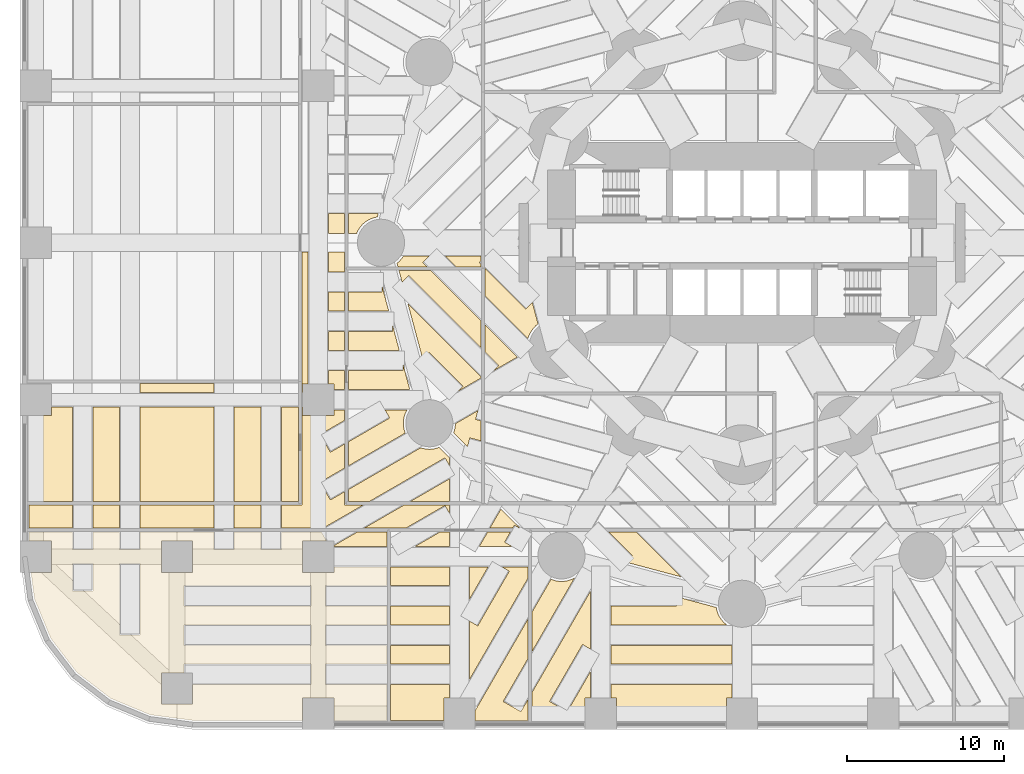
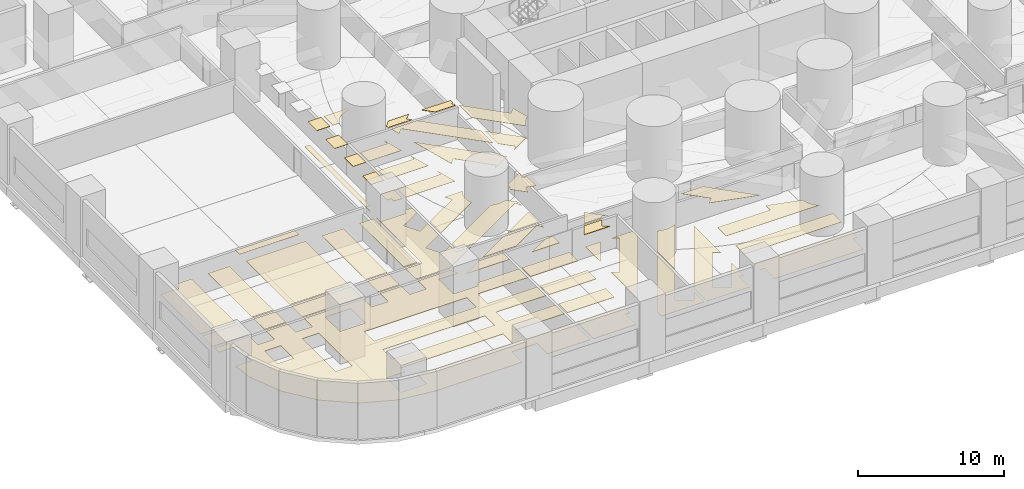
# One storey, part 12 of 17: 50 coverings.
"""IFC4 building model written with IfcOpenShell, lengths in metres."""

from ifc_helpers import new_model, si_unit, direction, frame, origin, place, context, subcontext, project, spatial, polyline, outline, extrude, material, layer, layer_set, type_object, element, save


model = new_model("IFC4")

# Units and contexts
model_context = context("Model", 3, precision=1e-05, world=origin(), true_north=direction((0.0, 1.0)))
body_context = subcontext(model_context, "Body", "Model", "MODEL_VIEW")
ifc_project = project(units=[si_unit("LENGTHUNIT", "METRE"), si_unit("AREAUNIT", "SQUARE_METRE"), si_unit("VOLUMEUNIT", "CUBIC_METRE"), si_unit("PLANEANGLEUNIT", "RADIAN"), si_unit("MASSUNIT", "GRAM", prefix="KILO")], contexts=[model_context])

# Site, building, storey
site_placement = place(None, origin())
site = spatial("IfcSite", under=ifc_project, at=site_placement, CompositionType="ELEMENT")
building_placement = place(site_placement, origin())
building = spatial("IfcBuilding", under=site, at=building_placement, Name="Qaws Media Tower", CompositionType="ELEMENT")
storey_placement = place(building_placement, frame((0.0, 0.0, 15.0)))
storey = spatial("IfcBuildingStorey", under=building, at=storey_placement, Name="L02", CompositionType="ELEMENT", Elevation=15.0)

# Coverings
ifc_material_1 = material(Name="40 perforated acoustic panels with mineral wool backing, suspended", Category="mineral fibre")
ifc_layer_1 = layer(ifc_material_1, 0.0400390625)
ifc_layer_set_1 = layer_set([ifc_layer_1], Name="Acoustic panel ceiling 40")
covering_type_1 = type_object("IfcCoveringType", Name="Acoustic panel ceiling 40", PredefinedType="CEILING", material=ifc_layer_set_1)
covering_1_placement = place(storey_placement, frame((0.0, 0.0, 2.719970703125)))
element("IfcCovering", 1, at=covering_1_placement, inside=storey, type_object=covering_type_1, Name="CL3 ceiling L02-17 Radio studio 1", PredefinedType="CEILING", context=body_context, shape_type="SweptSolid", body=[
    extrude(outline(polyline([(34.0, 21.0), (32.0, 21.0), (32.0, 19.570068359375), (25.017578125, 19.570068359375), (22.301025390625, 19.927490234375), (19.7861328125, 20.969482421875), (17.62646484375, 22.62646484375), (15.969482421875, 24.7861328125), (14.927490234375, 27.301025390625), (14.7041015625, 29.0), (16.0, 29.0), (16.0, 31.0), (14.570068359375, 31.0), (14.570068359375, 31.580078125), (17.35009765625, 31.580078125), (17.35009765625, 30.449951171875), (18.64990234375, 30.449951171875), (18.64990234375, 31.580078125), (20.35009765625, 31.580078125), (20.35009765625, 30.449951171875), (21.64990234375, 30.449951171875), (21.64990234375, 31.580078125), (26.35009765625, 31.580078125), (26.35009765625, 30.449951171875), (27.64990234375, 30.449951171875), (27.64990234375, 31.580078125), (29.35009765625, 31.580078125), (29.35009765625, 30.449951171875), (30.64990234375, 30.449951171875), (30.64990234375, 31.580078125), (33.197265625, 31.580078125), (33.531982421875, 31.0), (32.0, 31.0), (32.0, 29.0), (34.0, 29.0), (34.0, 29.35009765625), (37.3798828125, 29.35009765625), (37.3798828125, 28.14990234375), (33.449951171875, 28.14990234375), (33.449951171875, 26.85009765625), (37.3798828125, 26.85009765625), (37.3798828125, 25.64990234375), (33.449951171875, 25.64990234375), (33.449951171875, 24.35009765625), (37.3798828125, 24.35009765625), (37.3798828125, 23.14990234375), (33.449951171875, 23.14990234375), (33.449951171875, 21.85009765625), (37.3798828125, 21.85009765625), (37.3798828125, 19.570068359375), (34.0, 19.570068359375), (34.0, 21.0)]), holes=[polyline([(25.0, 20.60009765625), (25.0, 21.85009765625), (32.550048828125, 21.85009765625), (32.550048828125, 23.14990234375), (24.449951171875, 23.14990234375), (24.449951171875, 22.60009765625), (23.0, 22.60009765625), (23.0, 20.60009765625), (25.0, 20.60009765625)]), polyline([(25.0, 29.0), (25.0, 31.0), (23.0, 31.0), (23.0, 29.0), (25.0, 29.0)]), polyline([(24.449951171875, 25.64990234375), (24.449951171875, 24.35009765625), (32.550048828125, 24.35009765625), (32.550048828125, 25.64990234375), (24.449951171875, 25.64990234375)]), polyline([(20.35009765625, 25.015380859375), (21.64990234375, 25.015380859375), (21.64990234375, 29.550048828125), (20.35009765625, 29.550048828125), (20.35009765625, 25.015380859375)]), polyline([(17.35009765625, 27.8154296875), (18.64990234375, 27.8154296875), (18.64990234375, 29.550048828125), (17.35009765625, 29.550048828125), (17.35009765625, 27.8154296875)]), polyline([(24.449951171875, 28.14990234375), (24.449951171875, 26.85009765625), (32.550048828125, 26.85009765625), (32.550048828125, 28.14990234375), (24.449951171875, 28.14990234375)])]), origin(), (0.0, 0.0, 1.0), 0.0400390625),
])
covering_2_placement = place(storey_placement, frame((0.0, 0.0, 2.719970703125)))
element("IfcCovering", 2, at=covering_2_placement, inside=storey, type_object=covering_type_1, Name="CL3 ceiling L02-17 Radio studio 1", PredefinedType="CEILING", context=body_context, shape_type="SweptSolid", body=[
    extrude(outline(polyline([(37.3798828125, 31.580078125), (37.3798828125, 30.64990234375), (34.0, 30.64990234375), (34.0, 30.708984375), (35.50830078125, 31.580078125), (37.3798828125, 31.580078125)])), origin(), (0.0, 0.0, 1.0), 0.0400390625),
])
covering_3_placement = place(storey_placement, frame((0.0, 0.0, 2.719970703125)))
element("IfcCovering", 3, at=covering_3_placement, inside=storey, type_object=covering_type_1, Name="CL3 ceiling L02-18 Radio studio 2", PredefinedType="CEILING", context=body_context, shape_type="SweptSolid", body=[
    extrude(outline(polyline([(43.0, 19.570068359375), (43.0, 20.19677734375), (46.3798828125, 26.051025390625), (46.3798828125, 23.533203125), (44.78759765625, 20.77490234375), (45.913330078125, 20.125), (46.3798828125, 20.933349609375), (46.3798828125, 19.570068359375), (43.0, 19.570068359375)])), origin(), (0.0, 0.0, 1.0), 0.0400390625),
])
covering_4_placement = place(storey_placement, frame((0.0, 0.0, 2.719970703125)))
element("IfcCovering", 4, at=covering_4_placement, inside=storey, type_object=covering_type_1, Name="CL3 ceiling L02-18 Radio studio 2", PredefinedType="CEILING", context=body_context, shape_type="SweptSolid", body=[
    extrude(outline(polyline([(46.3798828125, 28.65087890625), (42.64990234375, 22.1904296875), (42.64990234375, 25.892578125), (43.162841796875, 25.596435546875), (45.171142578125, 29.074951171875), (44.69482421875, 29.35009765625), (46.3798828125, 29.35009765625), (46.3798828125, 28.65087890625)])), origin(), (0.0, 0.0, 1.0), 0.0400390625),
])
covering_5_placement = place(storey_placement, frame((0.0, 0.0, 2.719970703125)))
element("IfcCovering", 5, at=covering_5_placement, inside=storey, type_object=covering_type_1, Name="CL3 ceiling L02-18 Radio studio 2", PredefinedType="CEILING", context=body_context, shape_type="SweptSolid", body=[
    extrude(outline(polyline([(41.0, 21.0), (41.0, 19.570068359375), (37.6201171875, 19.570068359375), (37.6201171875, 21.85009765625), (41.35009765625, 21.85009765625), (41.35009765625, 21.0), (41.0, 21.0)])), origin(), (0.0, 0.0, 1.0), 0.0400390625),
])
covering_6_placement = place(storey_placement, frame((0.0, 0.0, 2.719970703125)))
element("IfcCovering", 6, at=covering_6_placement, inside=storey, type_object=covering_type_1, Name="CL3 ceiling L02-18 Radio studio 2", PredefinedType="CEILING", context=body_context, shape_type="SweptSolid", body=[
    extrude(outline(polyline([(37.6201171875, 24.35009765625), (41.35009765625, 24.35009765625), (41.35009765625, 23.14990234375), (37.6201171875, 23.14990234375), (37.6201171875, 24.35009765625)])), origin(), (0.0, 0.0, 1.0), 0.0400390625),
])
covering_7_placement = place(storey_placement, frame((0.0, 0.0, 2.719970703125)))
element("IfcCovering", 7, at=covering_7_placement, inside=storey, type_object=covering_type_1, Name="CL3 ceiling L02-18 Radio studio 2", PredefinedType="CEILING", context=body_context, shape_type="SweptSolid", body=[
    extrude(outline(polyline([(37.6201171875, 26.85009765625), (41.35009765625, 26.85009765625), (41.35009765625, 25.64990234375), (37.6201171875, 25.64990234375), (37.6201171875, 26.85009765625)])), origin(), (0.0, 0.0, 1.0), 0.0400390625),
])
covering_8_placement = place(storey_placement, frame((0.0, 0.0, 2.719970703125)))
element("IfcCovering", 8, at=covering_8_placement, inside=storey, type_object=covering_type_1, Name="CL3 ceiling L02-18 Radio studio 2", PredefinedType="CEILING", context=body_context, shape_type="SweptSolid", body=[
    extrude(outline(polyline([(37.6201171875, 29.35009765625), (41.35009765625, 29.35009765625), (41.35009765625, 28.14990234375), (37.6201171875, 28.14990234375), (37.6201171875, 29.35009765625)])), origin(), (0.0, 0.0, 1.0), 0.0400390625),
])
covering_9_placement = place(storey_placement, frame((0.0, 0.0, 2.719970703125)))
element("IfcCovering", 9, at=covering_9_placement, inside=storey, type_object=covering_type_1, Name="CL3 ceiling L02-18 Radio studio 2", PredefinedType="CEILING", context=body_context, shape_type="SweptSolid", body=[
    extrude(outline(polyline([(45.252197265625, 31.580078125), (44.8740234375, 30.925048828125), (45.350341796875, 30.64990234375), (43.26171875, 30.64990234375), (43.798583984375, 31.580078125), (45.252197265625, 31.580078125)])), origin(), (0.0, 0.0, 1.0), 0.0400390625),
])
covering_10_placement = place(storey_placement, frame((0.0, 0.0, 2.719970703125)))
element("IfcCovering", 10, at=covering_10_placement, inside=storey, type_object=covering_type_1, Name="CL3 ceiling L02-18 Radio studio 2", PredefinedType="CEILING", context=body_context, shape_type="SweptSolid", body=[
    extrude(outline(polyline([(41.35009765625, 31.580078125), (41.35009765625, 30.64990234375), (39.16162109375, 30.64990234375), (40.7724609375, 31.580078125), (41.35009765625, 31.580078125)])), origin(), (0.0, 0.0, 1.0), 0.0400390625),
])
covering_11_placement = place(storey_placement, frame((0.0, 0.0, 2.719970703125)))
element("IfcCovering", 11, at=covering_11_placement, inside=storey, type_object=covering_type_1, Name="CL3 ceiling L02-18 Radio studio 2", PredefinedType="CEILING", context=body_context, shape_type="SweptSolid", body=[
    extrude(outline(polyline([(43.828857421875, 29.35009765625), (42.64990234375, 27.30810546875), (42.64990234375, 29.35009765625), (43.828857421875, 29.35009765625)])), origin(), (0.0, 0.0, 1.0), 0.0400390625),
])
ifc_material_2 = material(Name="600 x 600 mineral fibre tiles in exposed grid, suspended", Category="mineral fibre")
ifc_layer_2 = layer(ifc_material_2, 0.02001953125)
ifc_layer_set_2 = layer_set([ifc_layer_2], Name="Mineral fibre tile ceiling 20")
covering_type_2 = type_object("IfcCoveringType", Name="Mineral fibre tile ceiling 20", PredefinedType="CEILING", material=ifc_layer_set_2)
covering_12_placement = place(storey_placement, frame((0.0, 0.0, 2.719970703125)))
element("IfcCovering", 12, at=covering_12_placement, inside=storey, type_object=covering_type_2, Name="CL1 ceiling L02-00 Production foyer", PredefinedType="CEILING", context=body_context, shape_type="SweptSolid", body=[
    extrude(outline(polyline([(31.969970703125, 39.550048828125), (32.0, 39.550048828125), (32.0, 39.0), (34.0, 39.0), (34.0, 39.35009765625), (34.679931640625, 39.35009765625), (34.679931640625, 38.681396484375), (33.125, 37.783447265625), (33.77490234375, 36.65771484375), (34.679931640625, 37.18017578125), (34.679931640625, 35.64208984375), (33.125, 34.744384765625), (33.77490234375, 33.618408203125), (34.679931640625, 34.140869140625), (34.679931640625, 33.280029296875), (35.852783203125, 33.280029296875), (33.32421875, 31.820068359375), (30.64990234375, 31.820068359375), (30.64990234375, 33.280029296875), (31.969970703125, 33.280029296875), (31.969970703125, 39.550048828125)])), origin(), (0.0, 0.0, 1.0), 0.02001953125),
])
covering_13_placement = place(storey_placement, frame((0.0, 0.0, 2.719970703125)))
element("IfcCovering", 13, at=covering_13_placement, inside=storey, type_object=covering_type_2, Name="CL1 ceiling L02-00 Production foyer", PredefinedType="CEILING", context=body_context, shape_type="SweptSolid", body=[
    extrude(outline(polyline([(21.64990234375, 31.820068359375), (21.64990234375, 33.280029296875), (26.35009765625, 33.280029296875), (26.35009765625, 31.820068359375), (21.64990234375, 31.820068359375)])), origin(), (0.0, 0.0, 1.0), 0.02001953125),
])
covering_14_placement = place(storey_placement, frame((0.0, 0.0, 2.719970703125)))
element("IfcCovering", 14, at=covering_14_placement, inside=storey, type_object=covering_type_2, Name="CL1 ceiling L02-00 Production foyer", PredefinedType="CEILING", context=body_context, shape_type="SweptSolid", body=[
    extrude(outline(polyline([(46.85205078125, 44.70654296875), (46.67431640625, 44.50390625), (46.524658203125, 44.280029296875), (46.405517578125, 44.038330078125), (46.356689453125, 43.89501953125), (43.6201171875, 46.6318359375), (43.6201171875, 48.376953125), (46.220703125, 45.7763671875), (46.639404296875, 46.195068359375), (47.0029296875, 44.839111328125), (46.85205078125, 44.70654296875)])), origin(), (0.0, 0.0, 1.0), 0.02001953125),
])
covering_15_placement = place(storey_placement, frame((0.0, 0.0, 2.719970703125)))
element("IfcCovering", 15, at=covering_15_placement, inside=storey, type_object=covering_type_2, Name="CL1 ceiling L02-00 Production foyer", PredefinedType="CEILING", context=body_context, shape_type="SweptSolid", body=[
    extrude(outline(polyline([(14.570068359375, 31.820068359375), (14.570068359375, 33.280029296875), (17.35009765625, 33.280029296875), (17.35009765625, 31.820068359375), (14.570068359375, 31.820068359375)])), origin(), (0.0, 0.0, 1.0), 0.02001953125),
])
covering_16_placement = place(storey_placement, frame((0.0, 0.0, 2.719970703125)))
element("IfcCovering", 16, at=covering_16_placement, inside=storey, type_object=covering_type_2, Name="CL1 ceiling L02-00 Production foyer", PredefinedType="CEILING", context=body_context, shape_type="SweptSolid", body=[
    extrude(outline(polyline([(35.924072265625, 31.820068359375), (38.452880859375, 33.280029296875), (41.35009765625, 33.280029296875), (41.35009765625, 32.779296875), (41.074951171875, 33.255615234375), (38.588134765625, 31.820068359375), (35.924072265625, 31.820068359375)])), origin(), (0.0, 0.0, 1.0), 0.02001953125),
])
covering_17_placement = place(storey_placement, frame((0.0, 0.0, 2.719970703125)))
element("IfcCovering", 17, at=covering_17_placement, inside=storey, type_object=covering_type_2, Name="CL1 ceiling L02-00 Production foyer", PredefinedType="CEILING", context=body_context, shape_type="SweptSolid", body=[
    extrude(outline(polyline([(31.969970703125, 49.39990234375), (32.35009765625, 49.39990234375), (32.35009765625, 41.0), (32.0, 41.0), (32.0, 40.449951171875), (31.969970703125, 40.449951171875), (31.969970703125, 49.39990234375)])), origin(), (0.0, 0.0, 1.0), 0.02001953125),
])
covering_18_placement = place(storey_placement, frame((0.0, 0.0, 2.719970703125)))
element("IfcCovering", 18, at=covering_18_placement, inside=storey, type_object=covering_type_2, Name="CL1 ceiling L02-00 Production foyer", PredefinedType="CEILING", context=body_context, shape_type="SweptSolid", body=[
    extrude(outline(polyline([(43.6201171875, 44.793212890625), (45.6923828125, 42.720947265625), (44.17626953125, 41.845703125), (44.49951171875, 42.168701171875), (43.6201171875, 43.048095703125), (43.6201171875, 44.793212890625)])), origin(), (0.0, 0.0, 1.0), 0.02001953125),
])
covering_19_placement = place(storey_placement, frame((0.0, 0.0, 2.719970703125)))
element("IfcCovering", 19, at=covering_19_placement, inside=storey, type_object=covering_type_2, Name="CL1 ceiling L02-00 Production foyer", PredefinedType="CEILING", context=body_context, shape_type="SweptSolid", body=[
    extrude(outline(polyline([(27.64990234375, 31.820068359375), (27.64990234375, 33.280029296875), (29.35009765625, 33.280029296875), (29.35009765625, 31.820068359375), (27.64990234375, 31.820068359375)])), origin(), (0.0, 0.0, 1.0), 0.02001953125),
])
covering_20_placement = place(storey_placement, frame((0.0, 0.0, 2.719970703125)))
element("IfcCovering", 20, at=covering_20_placement, inside=storey, type_object=covering_type_2, Name="CL1 ceiling L02-00 Production foyer", PredefinedType="CEILING", context=body_context, shape_type="SweptSolid", body=[
    extrude(outline(polyline([(18.64990234375, 31.820068359375), (18.64990234375, 33.280029296875), (20.35009765625, 33.280029296875), (20.35009765625, 31.820068359375), (18.64990234375, 31.820068359375)])), origin(), (0.0, 0.0, 1.0), 0.02001953125),
])
covering_21_placement = place(storey_placement, frame((0.0, 0.0, 2.719970703125)))
element("IfcCovering", 21, at=covering_21_placement, inside=storey, type_object=covering_type_2, Name="CL1 ceiling L02-00 Production foyer", PredefinedType="CEILING", context=body_context, shape_type="SweptSolid", body=[
    extrude(outline(polyline([(34.679931640625, 50.60009765625), (33.64990234375, 50.60009765625), (33.64990234375, 51.85009765625), (34.679931640625, 51.85009765625), (34.679931640625, 50.60009765625)])), origin(), (0.0, 0.0, 1.0), 0.02001953125),
])
covering_22_placement = place(storey_placement, frame((0.0, 0.0, 2.719970703125)))
element("IfcCovering", 22, at=covering_22_placement, inside=storey, type_object=covering_type_2, Name="CL1 ceiling L02-00 Production foyer", PredefinedType="CEILING", context=body_context, shape_type="SweptSolid", body=[
    extrude(outline(polyline([(34.679931640625, 48.14990234375), (33.64990234375, 48.14990234375), (33.64990234375, 49.39990234375), (34.679931640625, 49.39990234375), (34.679931640625, 48.14990234375)])), origin(), (0.0, 0.0, 1.0), 0.02001953125),
])
covering_23_placement = place(storey_placement, frame((0.0, 0.0, 2.719970703125)))
element("IfcCovering", 23, at=covering_23_placement, inside=storey, type_object=covering_type_2, Name="CL1 ceiling L02-00 Production foyer", PredefinedType="CEILING", context=body_context, shape_type="SweptSolid", body=[
    extrude(outline(polyline([(34.679931640625, 45.64990234375), (33.64990234375, 45.64990234375), (33.64990234375, 46.85009765625), (34.679931640625, 46.85009765625), (34.679931640625, 45.64990234375)])), origin(), (0.0, 0.0, 1.0), 0.02001953125),
])
covering_24_placement = place(storey_placement, frame((0.0, 0.0, 2.719970703125)))
element("IfcCovering", 24, at=covering_24_placement, inside=storey, type_object=covering_type_2, Name="CL1 ceiling L02-00 Production foyer", PredefinedType="CEILING", context=body_context, shape_type="SweptSolid", body=[
    extrude(outline(polyline([(34.679931640625, 43.14990234375), (33.64990234375, 43.14990234375), (33.64990234375, 44.35009765625), (34.679931640625, 44.35009765625), (34.679931640625, 43.14990234375)])), origin(), (0.0, 0.0, 1.0), 0.02001953125),
])
covering_25_placement = place(storey_placement, frame((0.0, 0.0, 2.719970703125)))
element("IfcCovering", 25, at=covering_25_placement, inside=storey, type_object=covering_type_2, Name="CL1 ceiling L02-00 Production foyer", PredefinedType="CEILING", context=body_context, shape_type="SweptSolid", body=[
    extrude(outline(polyline([(34.679931640625, 40.64990234375), (34.0, 40.64990234375), (34.0, 41.0), (33.64990234375, 41.0), (33.64990234375, 41.85009765625), (34.679931640625, 41.85009765625), (34.679931640625, 40.64990234375)])), origin(), (0.0, 0.0, 1.0), 0.02001953125),
])
covering_26_placement = place(storey_placement, frame((0.0, 0.0, 2.719970703125)))
element("IfcCovering", 26, at=covering_26_placement, inside=storey, type_object=covering_type_2, Name="CL1 ceiling L02-00 Production foyer", PredefinedType="CEILING", context=body_context, shape_type="SweptSolid", body=[
    extrude(outline(polyline([(45.806884765625, 31.820068359375), (45.494873046875, 32.0), (45.390869140625, 31.820068359375), (43.937255859375, 31.820068359375), (44.634521484375, 33.027587890625), (45.84228515625, 31.820068359375), (45.806884765625, 31.820068359375)])), origin(), (0.0, 0.0, 1.0), 0.02001953125),
])
covering_27_placement = place(storey_placement, frame((0.0, 0.0, 2.719970703125)))
element("IfcCovering", 27, at=covering_27_placement, inside=storey, type_object=covering_type_2, Name="CL1 ceiling L02-02 Audio post-production room", PredefinedType="CEILING", context=body_context, shape_type="SweptSolid", body=[
    extrude(outline(polyline([(34.919921875, 33.52001953125), (34.919921875, 34.279541015625), (39.526611328125, 36.939208984375), (39.65185546875, 36.896484375), (39.86474609375, 36.854248046875), (40.081298828125, 36.840087890625), (40.298095703125, 36.854248046875), (40.510986328125, 36.896484375), (40.701171875, 36.961181640625), (41.35009765625, 36.312255859375), (41.35009765625, 35.818603515625), (41.074951171875, 36.294921875), (36.2685546875, 33.52001953125), (34.919921875, 33.52001953125)])), origin(), (0.0, 0.0, 1.0), 0.02001953125),
])
covering_28_placement = place(storey_placement, frame((0.0, 0.0, 2.719970703125)))
element("IfcCovering", 28, at=covering_28_placement, inside=storey, type_object=covering_type_2, Name="CL1 ceiling L02-02 Audio post-production room", PredefinedType="CEILING", context=body_context, shape_type="SweptSolid", body=[
    extrude(outline(polyline([(43.3798828125, 43.2880859375), (38.76611328125, 47.902099609375), (38.347412109375, 47.483154296875), (38.147216796875, 48.22998046875), (40.183349609375, 48.22998046875), (43.3798828125, 45.033203125), (43.3798828125, 43.2880859375)])), origin(), (0.0, 0.0, 1.0), 0.02001953125),
])
covering_29_placement = place(storey_placement, frame((0.0, 0.0, 2.719970703125)))
element("IfcCovering", 29, at=covering_29_placement, inside=storey, type_object=covering_type_2, Name="CL1 ceiling L02-02 Audio post-production room", PredefinedType="CEILING", context=body_context, shape_type="SweptSolid", body=[
    extrude(outline(polyline([(43.3798828125, 41.385986328125), (41.904296875, 40.533935546875), (42.227294921875, 40.85693359375), (40.077880859375, 43.006591796875), (39.658935546875, 42.587646484375), (38.713623046875, 46.115966796875), (43.3798828125, 41.44970703125), (43.3798828125, 41.385986328125)])), origin(), (0.0, 0.0, 1.0), 0.02001953125),
])
covering_30_placement = place(storey_placement, frame((0.0, 0.0, 2.719970703125)))
element("IfcCovering", 30, at=covering_30_placement, inside=storey, type_object=covering_type_2, Name="CL1 ceiling L02-02 Audio post-production room", PredefinedType="CEILING", context=body_context, shape_type="SweptSolid", body=[
    extrude(outline(polyline([(34.919921875, 37.318603515625), (37.5498046875, 38.837158203125), (37.253662109375, 39.35009765625), (38.6572265625, 39.35009765625), (38.643798828125, 39.330078125), (38.5478515625, 39.13525390625), (38.47802734375, 38.9296875), (38.435546875, 38.716796875), (38.42138671875, 38.5), (38.435546875, 38.283203125), (38.47802734375, 38.0703125), (38.544921875, 37.873291015625), (34.919921875, 35.780517578125), (34.919921875, 37.318603515625)])), origin(), (0.0, 0.0, 1.0), 0.02001953125),
])
covering_31_placement = place(storey_placement, frame((0.0, 0.0, 2.719970703125)))
element("IfcCovering", 31, at=covering_31_placement, inside=storey, type_object=covering_type_2, Name="CL1 ceiling L02-02 Audio post-production room", PredefinedType="CEILING", context=body_context, shape_type="SweptSolid", body=[
    extrude(outline(polyline([(34.919921875, 41.85009765625), (38.388427734375, 41.85009765625), (38.388427734375, 42.306884765625), (38.83251953125, 40.64990234375), (34.919921875, 40.64990234375), (34.919921875, 41.85009765625)])), origin(), (0.0, 0.0, 1.0), 0.02001953125),
])
covering_32_placement = place(storey_placement, frame((0.0, 0.0, 2.719970703125)))
element("IfcCovering", 32, at=covering_32_placement, inside=storey, type_object=covering_type_2, Name="CL1 ceiling L02-02 Audio post-production room", PredefinedType="CEILING", context=body_context, shape_type="SweptSolid", body=[
    extrude(outline(polyline([(34.919921875, 44.35009765625), (37.718505859375, 44.35009765625), (37.718505859375, 44.806884765625), (38.16259765625, 43.14990234375), (34.919921875, 43.14990234375), (34.919921875, 44.35009765625)])), origin(), (0.0, 0.0, 1.0), 0.02001953125),
])
covering_33_placement = place(storey_placement, frame((0.0, 0.0, 2.719970703125)))
element("IfcCovering", 33, at=covering_33_placement, inside=storey, type_object=covering_type_2, Name="CL1 ceiling L02-02 Audio post-production room", PredefinedType="CEILING", context=body_context, shape_type="SweptSolid", body=[
    extrude(outline(polyline([(34.919921875, 46.85009765625), (37.048583984375, 46.85009765625), (37.048583984375, 47.306884765625), (37.49267578125, 45.64990234375), (34.919921875, 45.64990234375), (34.919921875, 46.85009765625)])), origin(), (0.0, 0.0, 1.0), 0.02001953125),
])
covering_34_placement = place(storey_placement, frame((0.0, 0.0, 2.719970703125)))
element("IfcCovering", 34, at=covering_34_placement, inside=storey, type_object=covering_type_2, Name="CL1 ceiling L02-02 Audio post-production room", PredefinedType="CEILING", context=body_context, shape_type="SweptSolid", body=[
    extrude(outline(polyline([(43.3798828125, 37.373291015625), (42.659912109375, 37.566162109375), (42.506591796875, 36.993896484375), (41.620361328125, 37.88037109375), (41.684814453125, 38.0703125), (41.727294921875, 38.283203125), (41.73974609375, 38.47607421875), (43.176025390625, 39.30517578125), (43.026123046875, 38.74560546875), (43.3798828125, 38.65087890625), (43.3798828125, 37.373291015625)])), origin(), (0.0, 0.0, 1.0), 0.02001953125),
])
covering_35_placement = place(storey_placement, frame((0.0, 0.0, 2.719970703125)))
element("IfcCovering", 35, at=covering_35_placement, inside=storey, type_object=covering_type_2, Name="CL1 ceiling L02-02 Audio post-production room", PredefinedType="CEILING", context=body_context, shape_type="SweptSolid", body=[
    extrude(outline(polyline([(38.86865234375, 33.52001953125), (41.35009765625, 34.95263671875), (41.35009765625, 33.52001953125), (38.86865234375, 33.52001953125)])), origin(), (0.0, 0.0, 1.0), 0.02001953125),
])
covering_36_placement = place(storey_placement, frame((0.0, 0.0, 2.719970703125)))
element("IfcCovering", 36, at=covering_36_placement, inside=storey, type_object=covering_type_2, Name="CL1 ceiling L02-08 Ingest room", PredefinedType="CEILING", context=body_context, shape_type="SweptSolid", body=[
    extrude(outline(polyline([(21.64990234375, 33.52001953125), (21.64990234375, 39.550048828125), (26.35009765625, 39.550048828125), (26.35009765625, 33.52001953125), (21.64990234375, 33.52001953125)])), origin(), (0.0, 0.0, 1.0), 0.02001953125),
])
covering_37_placement = place(storey_placement, frame((0.0, 0.0, 2.719970703125)))
element("IfcCovering", 37, at=covering_37_placement, inside=storey, type_object=covering_type_2, Name="CL1 ceiling L02-08 Ingest room", PredefinedType="CEILING", context=body_context, shape_type="SweptSolid", body=[
    extrude(outline(polyline([(14.570068359375, 39.0), (16.0, 39.0), (16.0, 39.550048828125), (17.35009765625, 39.550048828125), (17.35009765625, 33.52001953125), (14.570068359375, 33.52001953125), (14.570068359375, 39.0)])), origin(), (0.0, 0.0, 1.0), 0.02001953125),
])
covering_38_placement = place(storey_placement, frame((0.0, 0.0, 2.719970703125)))
element("IfcCovering", 38, at=covering_38_placement, inside=storey, type_object=covering_type_2, Name="CL1 ceiling L02-08 Ingest room", PredefinedType="CEILING", context=body_context, shape_type="SweptSolid", body=[
    extrude(outline(polyline([(27.64990234375, 33.52001953125), (27.64990234375, 39.550048828125), (29.35009765625, 39.550048828125), (29.35009765625, 33.52001953125), (27.64990234375, 33.52001953125)])), origin(), (0.0, 0.0, 1.0), 0.02001953125),
])
covering_39_placement = place(storey_placement, frame((0.0, 0.0, 2.719970703125)))
element("IfcCovering", 39, at=covering_39_placement, inside=storey, type_object=covering_type_2, Name="CL1 ceiling L02-08 Ingest room", PredefinedType="CEILING", context=body_context, shape_type="SweptSolid", body=[
    extrude(outline(polyline([(18.64990234375, 33.52001953125), (18.64990234375, 39.550048828125), (20.35009765625, 39.550048828125), (20.35009765625, 33.52001953125), (18.64990234375, 33.52001953125)])), origin(), (0.0, 0.0, 1.0), 0.02001953125),
])
covering_40_placement = place(storey_placement, frame((0.0, 0.0, 2.719970703125)))
element("IfcCovering", 40, at=covering_40_placement, inside=storey, type_object=covering_type_2, Name="CL1 ceiling L02-08 Ingest room", PredefinedType="CEILING", context=body_context, shape_type="SweptSolid", body=[
    extrude(outline(polyline([(31.72998046875, 33.52001953125), (30.64990234375, 33.52001953125), (30.64990234375, 39.550048828125), (31.72998046875, 39.550048828125), (31.72998046875, 33.52001953125)])), origin(), (0.0, 0.0, 1.0), 0.02001953125),
])
covering_41_placement = place(storey_placement, frame((0.0, 0.0, 2.719970703125)))
element("IfcCovering", 41, at=covering_41_placement, inside=storey, type_object=covering_type_2, Name="CL1 ceiling L02-08 Ingest room", PredefinedType="CEILING", context=body_context, shape_type="SweptSolid", body=[
    extrude(outline(polyline([(26.35009765625, 41.030029296875), (26.35009765625, 40.449951171875), (21.64990234375, 40.449951171875), (21.64990234375, 41.030029296875), (26.35009765625, 41.030029296875)])), origin(), (0.0, 0.0, 1.0), 0.02001953125),
])
ifc_material_3 = material(Name="Two layers 12.5 moisture-resistant plasterboard on suspended metal furring", Category="gypsum")
ifc_layer_3 = layer(ifc_material_3, 0.02490234375)
ifc_layer_set_3 = layer_set([ifc_layer_3], Name="Plasterboard ceiling 25")
covering_type_3 = type_object("IfcCoveringType", Name="Plasterboard ceiling 25", PredefinedType="CEILING", material=ifc_layer_set_3)
covering_42_placement = place(storey_placement, frame((0.0, 0.0, 2.719970703125)))
element("IfcCovering", 42, at=covering_42_placement, inside=storey, type_object=covering_type_3, Name="CL2 ceiling L02-14 Production management office", PredefinedType="CEILING", context=body_context, shape_type="SweptSolid", body=[
    extrude(outline(polyline([(59.0, 21.0), (59.0, 19.570068359375), (52.0, 19.570068359375), (52.0, 21.0), (51.64990234375, 21.0), (51.64990234375, 21.85009765625), (59.35009765625, 21.85009765625), (59.35009765625, 21.0), (59.0, 21.0)])), origin(), (0.0, 0.0, 1.0), 0.025146484375),
])
covering_43_placement = place(storey_placement, frame((0.0, 0.0, 2.719970703125)))
element("IfcCovering", 43, at=covering_43_placement, inside=storey, type_object=covering_type_3, Name="CL2 ceiling L02-14 Production management office", PredefinedType="CEILING", context=body_context, shape_type="SweptSolid", body=[
    extrude(outline(polyline([(50.0, 21.0), (50.0, 19.570068359375), (46.6201171875, 19.570068359375), (46.6201171875, 21.34912109375), (50.35009765625, 27.8095703125), (50.35009765625, 24.107421875), (49.837158203125, 24.403564453125), (47.7421875, 20.77490234375), (48.867919921875, 20.125), (50.35009765625, 22.69189453125), (50.35009765625, 21.0), (50.0, 21.0)])), origin(), (0.0, 0.0, 1.0), 0.025146484375),
])
covering_44_placement = place(storey_placement, frame((0.0, 0.0, 2.719970703125)))
element("IfcCovering", 44, at=covering_44_placement, inside=storey, type_object=covering_type_3, Name="CL2 ceiling L02-14 Production management office", PredefinedType="CEILING", context=body_context, shape_type="SweptSolid", body=[
    extrude(outline(polyline([(59.35009765625, 24.35009765625), (59.35009765625, 23.14990234375), (51.64990234375, 23.14990234375), (51.64990234375, 24.35009765625), (59.35009765625, 24.35009765625)])), origin(), (0.0, 0.0, 1.0), 0.025146484375),
])
covering_45_placement = place(storey_placement, frame((0.0, 0.0, 2.719970703125)))
element("IfcCovering", 45, at=covering_45_placement, inside=storey, type_object=covering_type_3, Name="CL2 ceiling L02-14 Production management office", PredefinedType="CEILING", context=body_context, shape_type="SweptSolid", body=[
    extrude(outline(polyline([(58.396484375, 26.5703125), (58.46630859375, 26.36474609375), (58.5625, 26.169921875), (58.68310546875, 25.989501953125), (58.826171875, 25.826171875), (58.989501953125, 25.68310546875), (59.038818359375, 25.64990234375), (51.64990234375, 25.64990234375), (51.64990234375, 26.85009765625), (55.81591796875, 26.85009765625), (55.81591796875, 27.4482421875), (58.357421875, 26.76708984375), (58.396484375, 26.5703125)])), origin(), (0.0, 0.0, 1.0), 0.025146484375),
])
covering_46_placement = place(storey_placement, frame((0.0, 0.0, 2.719970703125)))
element("IfcCovering", 46, at=covering_46_placement, inside=storey, type_object=covering_type_3, Name="CL2 ceiling L02-14 Production management office", PredefinedType="CEILING", context=body_context, shape_type="SweptSolid", body=[
    extrude(outline(polyline([(46.6201171875, 26.466796875), (47.8310546875, 28.564453125), (47.86474609375, 28.5478515625), (48.0703125, 28.47802734375), (48.283203125, 28.435546875), (48.5, 28.42138671875), (48.716796875, 28.435546875), (48.9296875, 28.47802734375), (49.13525390625, 28.5478515625), (49.330810546875, 28.644287109375), (46.6201171875, 23.948974609375), (46.6201171875, 26.466796875)])), origin(), (0.0, 0.0, 1.0), 0.025146484375),
])
covering_47_placement = place(storey_placement, frame((0.0, 0.0, 2.719970703125)))
element("IfcCovering", 47, at=covering_47_placement, inside=storey, type_object=covering_type_3, Name="CL2 ceiling L02-14 Production management office", PredefinedType="CEILING", context=body_context, shape_type="SweptSolid", body=[
    extrude(outline(polyline([(53.24951171875, 31.580078125), (56.115966796875, 28.713623046875), (52.587646484375, 29.658935546875), (53.006591796875, 30.077880859375), (51.50439453125, 31.580078125), (53.24951171875, 31.580078125)])), origin(), (0.0, 0.0, 1.0), 0.025146484375),
])
covering_48_placement = place(storey_placement, frame((0.0, 0.0, 2.719970703125)))
element("IfcCovering", 48, at=covering_48_placement, inside=storey, type_object=covering_type_3, Name="CL2 ceiling L02-20 Sound effects library", PredefinedType="CEILING", context=body_context, shape_type="SweptSolid", body=[
    extrude(outline(polyline([(36.5703125, 51.603515625), (36.36474609375, 51.53369140625), (36.169921875, 51.4375), (35.989501953125, 51.31689453125), (35.826171875, 51.173828125), (35.68310546875, 51.010498046875), (35.5625, 50.830078125), (35.46630859375, 50.63525390625), (35.454345703125, 50.60009765625), (34.919921875, 50.60009765625), (34.919921875, 51.85009765625), (36.82275390625, 51.85009765625), (36.76708984375, 51.642578125), (36.5703125, 51.603515625)])), origin(), (0.0, 0.0, 1.0), 0.025146484375),
])
covering_49_placement = place(storey_placement, frame((0.0, 0.0, 2.719970703125)))
element("IfcCovering", 49, at=covering_49_placement, inside=storey, type_object=covering_type_3, Name="CL2 ceiling L02-20 Sound effects library", PredefinedType="CEILING", context=body_context, shape_type="SweptSolid", body=[
    extrude(outline(polyline([(43.3798828125, 48.86376953125), (43.256591796875, 48.740478515625), (43.3798828125, 48.616943359375), (43.3798828125, 48.469970703125), (41.78173828125, 48.469970703125), (41.101806640625, 49.14990234375), (43.3798828125, 49.14990234375), (43.3798828125, 48.86376953125)])), origin(), (0.0, 0.0, 1.0), 0.025146484375),
])
covering_50_placement = place(storey_placement, frame((0.0, 0.0, 2.719970703125)))
element("IfcCovering", 50, at=covering_50_placement, inside=storey, type_object=covering_type_3, Name="CL2 ceiling L02-20 Sound effects library", PredefinedType="CEILING", context=body_context, shape_type="SweptSolid", body=[
    extrude(outline(polyline([(38.0830078125, 48.469970703125), (38.02294921875, 48.69384765625), (38.173828125, 48.826171875), (38.31689453125, 48.989501953125), (38.42431640625, 49.14990234375), (40.08251953125, 49.14990234375), (39.6728515625, 48.740478515625), (39.943359375, 48.469970703125), (38.0830078125, 48.469970703125)])), origin(), (0.0, 0.0, 1.0), 0.025146484375),
])

save(model, "model.ifc")
